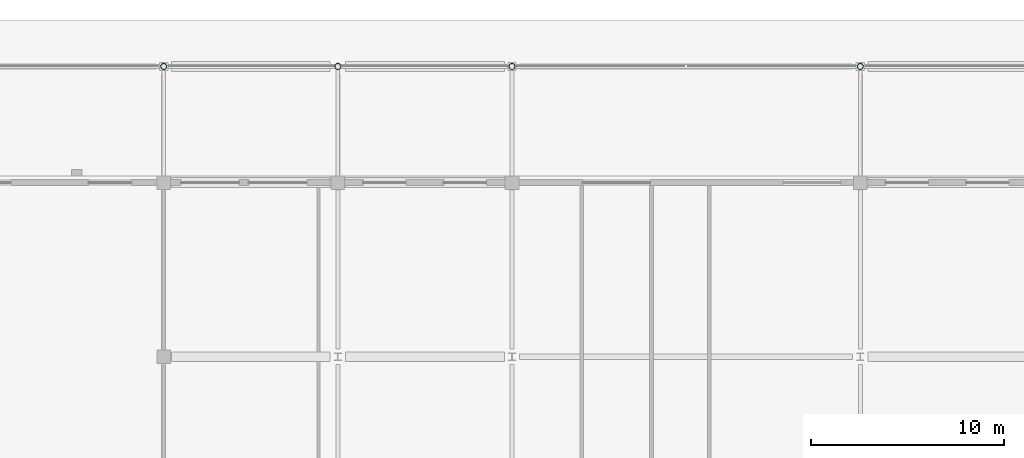
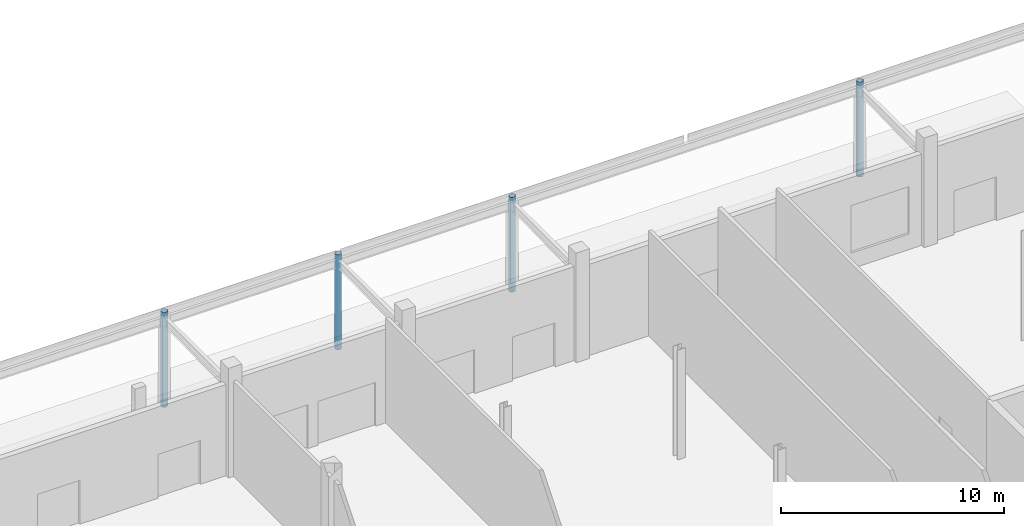
# One storey, part 19 of 84: 4 columns.
"""IFC4 building model written with IfcOpenShell, lengths in metres."""

from ifc_helpers import new_model, si_unit, direction, frame, origin, origin_2d, place, context, subcontext, project, spatial, hollow_circle, extrude, material, material_profile, profile_set, type_object, element, save


model = new_model("IFC4")

# Units and contexts
model_context = context("Model", 3, precision=1e-05, world=origin(), true_north=direction((0.0, 1.0)))
body_context = subcontext(model_context, "Body", "Model", "MODEL_VIEW")
ifc_project = project(units=[si_unit("LENGTHUNIT", "METRE"), si_unit("AREAUNIT", "SQUARE_METRE"), si_unit("VOLUMEUNIT", "CUBIC_METRE"), si_unit("PLANEANGLEUNIT", "RADIAN"), si_unit("MASSUNIT", "GRAM", prefix="KILO")], contexts=[model_context])

# Site, building, storey
site_placement = place(None, origin())
site = spatial("IfcSite", under=ifc_project, at=site_placement, CompositionType="ELEMENT")
building_placement = place(site_placement, origin())
building = spatial("IfcBuilding", under=site, at=building_placement, Name="Kisiwana Market Hall", CompositionType="ELEMENT")
storey_placement = place(building_placement, origin())
storey = spatial("IfcBuildingStorey", under=building, at=storey_placement, Name="L00", CompositionType="ELEMENT", Elevation=0.0)

# Columns
ifc_material = material(Name="Steel S355", Category="steel")
ifc_material_profile = material_profile(ifc_material, hollow_circle(Radius=0.161865234375, WallThickness=0.01611328125, at=origin_2d()), Name="CHS 323.9x16.0")
ifc_profile_set = profile_set([ifc_material_profile], Name="Steel S355")
column_type = type_object("IfcColumnType", Name="COL-STL-CHS324", PredefinedType="COLUMN", material=ifc_profile_set)
for number, where, z_axis, x_axis, name in (
    (1, (153.0, 126.0, 0.0), (0.0, 0.0, 1.0), (1.0, 0.0, 0.0), "Column R/18 (L00) C-0295"),
    (2, (162.0, 126.0, 0.0), (0.0, 0.0, 1.0), (1.0, 0.0, 0.0), "Column R/19 (L00) C-0304"),
    (3, (171.0, 126.0, 0.0), (0.0, 0.0, 1.0), (1.0, 0.0, 0.0), "Column R/20 (L00) C-0314"),
    (4, (189.0, 126.0, 0.0), (0.0, 0.0, 1.0), (1.0, 0.0, 0.0), "Column R/22 (L00) C-0323"),
):
    element("IfcColumn", number, at=place(storey_placement, frame(where, z_axis=z_axis, x_axis=x_axis)), inside=storey, type_object=column_type, Name=name, PredefinedType="COLUMN", context=body_context, shape_type="SweptSolid", body=[
        extrude(hollow_circle(Radius=0.161865234375, WallThickness=0.01611328125, at=origin_2d()), origin(), (0.0, 0.0, 1.0), 5.199951171875),
    ])

save(model, "model.ifc")
